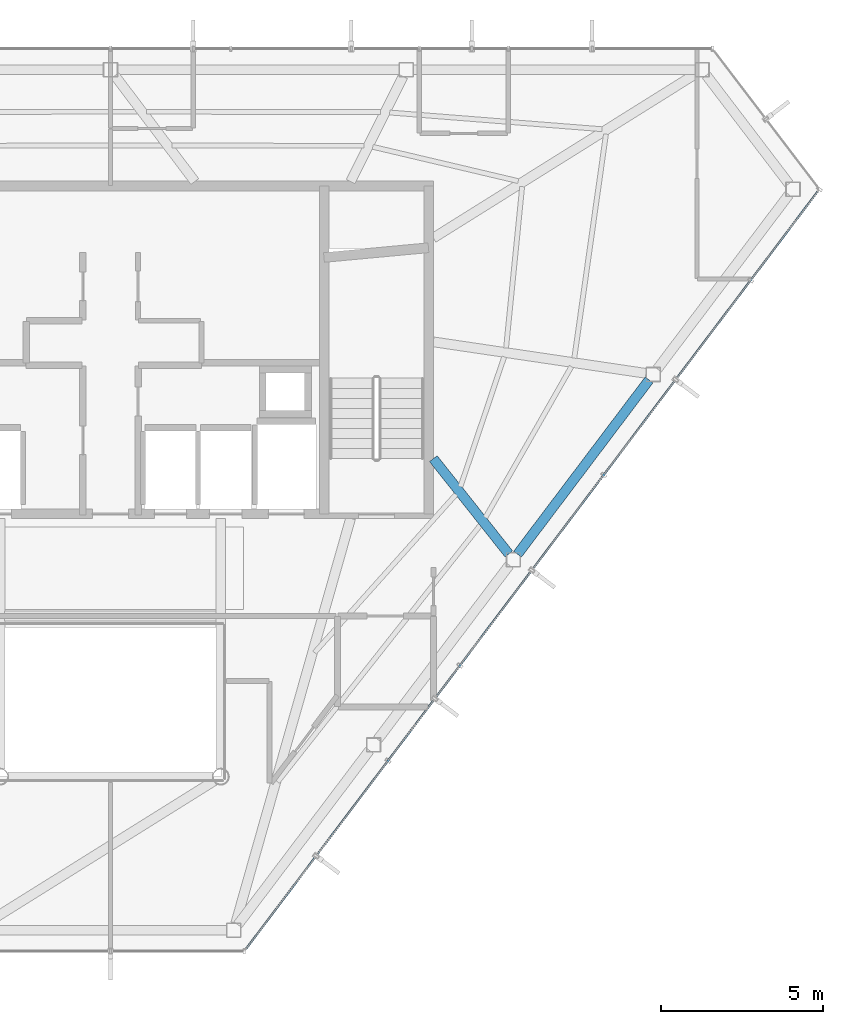
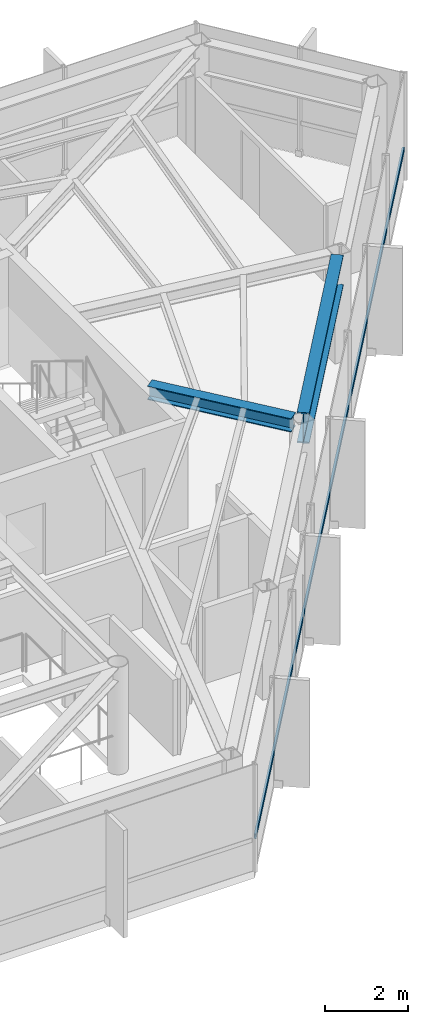
# One storey, part 16 of 23: 2 beams, 1 member, 1 element without a shape of its own.
"""IFC4 building model written with IfcOpenShell, lengths in metres."""

from ifc_helpers import new_model, si_unit, direction, frame, origin, origin_2d, place, context, subcontext, project, spatial, hollow_rectangle, i_section, extrude, material, layer, layer_set, material_profile, profile_set, type_object, element, aggregate, save


model = new_model("IFC4")

# Units and contexts
model_context = context("Model", 3, precision=1e-05, world=origin(), true_north=direction((0.0, 1.0)))
body_context = subcontext(model_context, "Body", "Model", "MODEL_VIEW")
ifc_project = project(units=[si_unit("LENGTHUNIT", "METRE"), si_unit("AREAUNIT", "SQUARE_METRE"), si_unit("VOLUMEUNIT", "CUBIC_METRE"), si_unit("PLANEANGLEUNIT", "RADIAN"), si_unit("MASSUNIT", "GRAM", prefix="KILO")], contexts=[model_context])

# Site, building, storey
site_placement = place(None, origin())
site = spatial("IfcSite", under=ifc_project, at=site_placement, CompositionType="ELEMENT")
building_placement = place(site_placement, origin())
building = spatial("IfcBuilding", under=site, at=building_placement, Name="Zarrinselat Tower", CompositionType="ELEMENT")
storey_placement = place(building_placement, frame((0.0, 0.0, 282.199951171875)))
storey = spatial("IfcBuildingStorey", under=building, at=storey_placement, Name="L72", CompositionType="ELEMENT", Elevation=282.199951171875)

# Beams
ifc_material_1 = material(Name="Steel S355J2", Category="steel")
ifc_material_profile_1 = material_profile(ifc_material_1, i_section(OverallWidth=0.300048828125, OverallDepth=0.39990234375, WebThickness=0.013427734375, FlangeThickness=0.02392578125, at=origin_2d()), Name="HEB 400")
ifc_profile_set_1 = profile_set([ifc_material_profile_1], Name="Steel S355J2")
beam_type_1 = type_object("IfcBeamType", Name="BM-HEB400", PredefinedType="BEAM", material=ifc_profile_set_1)
beam_1_placement = place(storey_placement, frame((48.35009765625, 35.0, 2.97998046875), z_axis=(0.620983415938, -0.783823702838, 0.0), x_axis=(0.783823702838, 0.620983415938, 0.0)))
element("IfcBeam", 1, at=beam_1_placement, inside=storey, type_object=beam_type_1, Name="L72 Radial Primary Girder RG13", PredefinedType="BEAM", context=body_context, shape_type="SweptSolid", body=[
    extrude(i_section(OverallWidth=0.300048828125, OverallDepth=0.39990234375, WebThickness=0.013427734375, FlangeThickness=0.02392578125, at=origin_2d()), origin(), (0.0, 0.0, 1.0), 3.7451171875),
])
ifc_material_2 = material(Name="Steel S460M", Category="steel")
ifc_material_profile_2 = material_profile(ifc_material_2, i_section(OverallWidth=0.302001953125, OverallDepth=0.909912109375, WebThickness=0.02099609375, FlangeThickness=0.0400390625, at=origin_2d()), Name="HEM 900")
ifc_profile_set_2 = profile_set([ifc_material_profile_2], Name="Steel S460M")
beam_type_2 = type_object("IfcBeamType", Name="BM-HEM900", PredefinedType="BEAM", material=ifc_profile_set_2)
beam_2_placement = place(storey_placement, frame((50.945068359375, 32.056396484375, 2.72509765625), z_axis=(0.602430465943, 0.798171368632, 0.0), x_axis=(-0.798171368632, 0.602430465943, 0.0)))
element("IfcBeam", 2, at=beam_2_placement, inside=storey, type_object=beam_type_2, Name="L72 Perimeter Spandrel Girder SP13", PredefinedType="BEAM", context=body_context, shape_type="SweptSolid", body=[
    extrude(i_section(OverallWidth=0.302001953125, OverallDepth=0.909912109375, WebThickness=0.02099609375, FlangeThickness=0.0400390625, at=origin_2d()), origin(), (0.0, 0.0, 1.0), 6.7265625),
])

# Curtain wall, member
ifc_material_3 = material(Name="Extruded Aluminium Alloy EN AW-6063 T6", Category="aluminium")
ifc_layer = layer(ifc_material_3, 0.199951171875)
ifc_layer_set = layer_set([ifc_layer], Name="Extruded Aluminium Alloy EN AW-6063 T6")
curtain_wall_type = type_object("IfcCurtainWallType", Name="CWS-BLADE", PredefinedType="NOTDEFINED", material=ifc_layer_set)
curtain_wall_placement = place(storey_placement, origin())
curtain_wall = element("IfcCurtainWall", 3, at=curtain_wall_placement, inside=storey, type_object=curtain_wall_type, Name="L72 Unitised Curtain Wall CW-L72-E05", PredefinedType="NOTDEFINED")
ifc_material_4 = material(Name="Extruded Aluminium Alloy EN AW-6063 T6", Category="aluminium")
ifc_material_profile_3 = material_profile(ifc_material_4, hollow_rectangle(XDim=0.06005859375, YDim=0.139892578125, WallThickness=0.00390625, at=origin_2d()), Name="RHS 140x60x4")
ifc_profile_set_3 = profile_set([ifc_material_profile_3], Name="Extruded Aluminium Alloy EN AW-6063 T6")
member_type = type_object("IfcMemberType", Name="MEM-CW-TRN", PredefinedType="USERDEFINED", material=ifc_profile_set_3)
member_placement = place(storey_placement, frame((42.576904296875, 19.890869140625, 0.949951171875), z_axis=(0.602445438851, 0.79816006741, 0.0), x_axis=(-0.79816006741, 0.602445438851, 0.0)))
member = element("IfcMember", 4, at=member_placement, type_object=member_type, Name="CW-L72-E05 Transom 1", ObjectType="TRANSOM", PredefinedType="USERDEFINED", context=body_context, shape_type="SweptSolid", body=[
    extrude(hollow_rectangle(XDim=0.06005859375, YDim=0.139892578125, WallThickness=0.00390625, at=origin_2d()), origin(), (0.0, 0.0, 1.0), 29.24609375),
])
aggregate(curtain_wall, [member])

save(model, "model.ifc")
